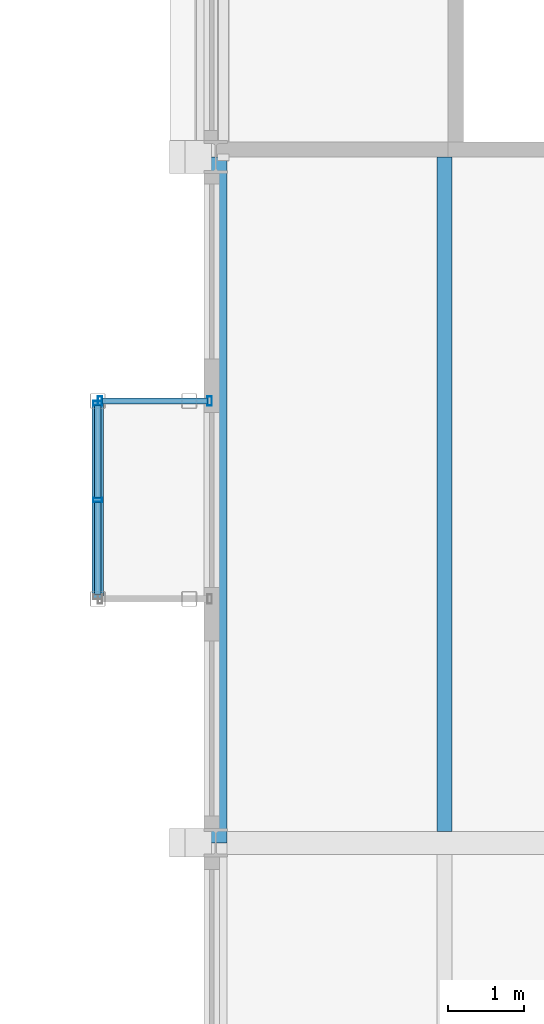
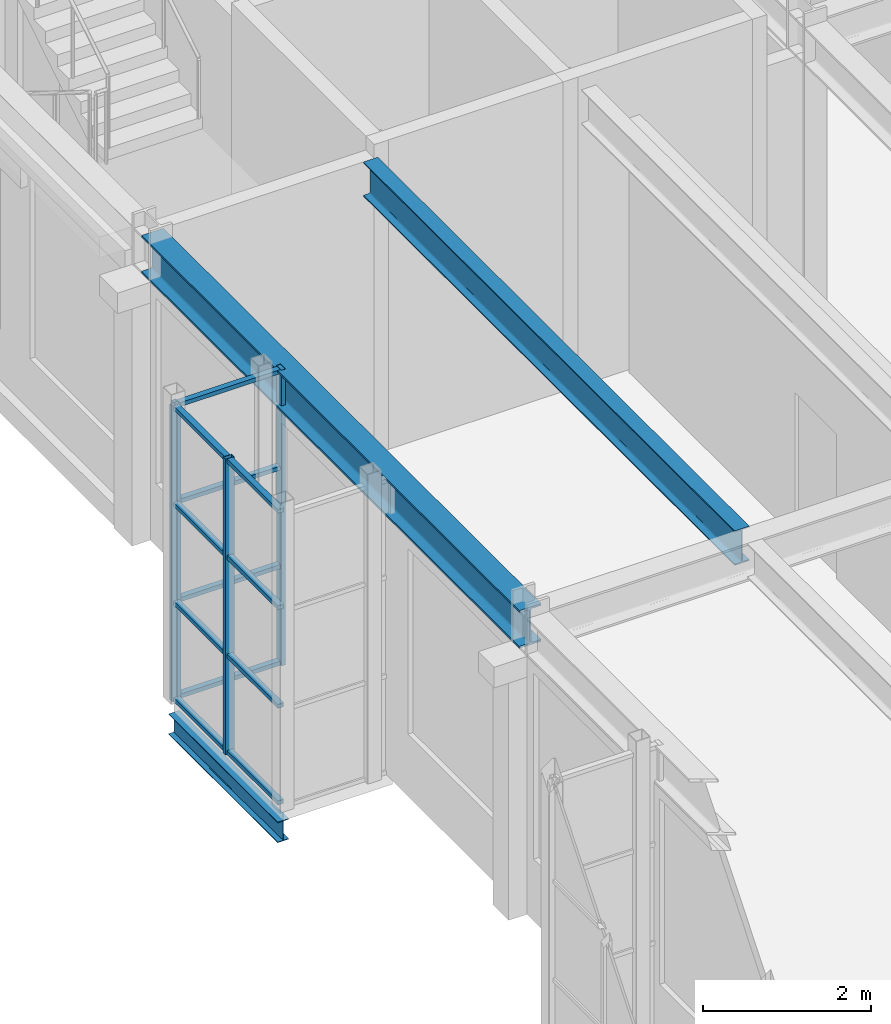
# One storey, part 16 of 149: 16 members, 3 beams, 2 elements without a shape of their own.
"""IFC4 building model written with IfcOpenShell, lengths in metres."""

import ifcopenshell
import ifcopenshell.guid

model = None  # the IFC model being written
_history = None  # IfcOwnerHistory: only IFC2X3 demands one
_inside = {}  # id of a spatial element -> (the spatial element, [elements in it])
_under = {}  # id of a project, library or spatial element -> (it, [spatial elements below it])
_declared = {}  # id of a project -> (the project, [libraries it declares])
_typed = {}  # id of a type object -> (the type object, [elements of that type])
_made_of = {}  # id of a material, layer set ... -> (it, [elements and type objects made of it])


def new_model(schema):
    """Start an empty IFC model of exactly this schema.

    Asked for "IFC4X3", IfcOpenShell would pick the latest addendum, in which some entities
    have other attributes; the version numbers below select the first issue.
    IFC2X3 requires an IfcOwnerHistory on every rooted entity: one is made here for all.
    """
    global model, _history
    if schema == "IFC4X3":
        model = ifcopenshell.file(schema_version=(4, 3, 0, 0))
    else:
        model = ifcopenshell.file(schema=schema)
    _inside.clear()
    _under.clear()
    _declared.clear()
    _typed.clear()
    _made_of.clear()
    _history = None
    if model.schema == "IFC2X3":
        org = make("IfcOrganization", Name="unknown")
        user = make(
            "IfcPersonAndOrganization",
            ThePerson=make("IfcPerson", FamilyName="unknown"),
            TheOrganization=org,
        )
        app = make(
            "IfcApplication",
            ApplicationDeveloper=org,
            Version="unknown",
            ApplicationFullName="unknown",
            ApplicationIdentifier="unknown",
        )
        _history = make(
            "IfcOwnerHistory",
            OwningUser=user,
            OwningApplication=app,
            ChangeAction="ADDED",
            CreationDate=0,
        )
    return model


def make(cls, **values):
    """One entity of the class cls with the attributes given. An attribute that is None is left unset."""
    return model.create_entity(
        cls, **{name: value for name, value in values.items() if value is not None}
    )


def rooted(cls, **values):
    """An entity with a GlobalId (a new one), such as an element, a storey or a relation."""
    return make(cls, GlobalId=ifcopenshell.guid.new(), OwnerHistory=_history, **values)


def si_unit(unit_type, name, prefix=None):
    """IfcSIUnit, for example si_unit("LENGTHUNIT", "METRE", prefix="MILLI")."""
    return make("IfcSIUnit", UnitType=unit_type, Prefix=prefix, Name=name)


def assignment(units):
    """IfcUnitAssignment: the units of a project."""
    return None if units is None else make("IfcUnitAssignment", Units=units)


def point(xyz):
    """IfcCartesianPoint."""
    return None if xyz is None else make("IfcCartesianPoint", Coordinates=xyz)


def direction(xyz):
    """IfcDirection."""
    return None if xyz is None else make("IfcDirection", DirectionRatios=xyz)


def frame(location, z_axis=None, x_axis=None):
    """IfcAxis2Placement3D, a coordinate frame: its origin and axes. An axis left out is left unset."""
    return make(
        "IfcAxis2Placement3D",
        Location=point(location),
        Axis=direction(z_axis),
        RefDirection=direction(x_axis),
    )


def frame_2d(location, x_axis=None):
    """IfcAxis2Placement2D, a coordinate frame in the plane: its origin and x axis."""
    return make(
        "IfcAxis2Placement2D", Location=point(location), RefDirection=direction(x_axis)
    )


def origin():
    """The frame at (0, 0, 0) with its axes left unset."""
    return frame((0.0, 0.0, 0.0))


def origin_2d():
    """The frame at (0, 0) in the plane with its x axis left unset."""
    return frame_2d((0.0, 0.0))


def place(relative_to, where):
    """IfcLocalPlacement: puts the frame where relative to a parent placement (None: the world)."""
    return make(
        "IfcLocalPlacement", PlacementRelTo=relative_to, RelativePlacement=where
    )


def context(
    kind, dimensions, precision=None, world=None, true_north=None, identifier=None
):
    """IfcGeometricRepresentationContext, for example the 3D "Model" context."""
    return make(
        "IfcGeometricRepresentationContext",
        ContextIdentifier=identifier,
        ContextType=kind,
        CoordinateSpaceDimension=dimensions,
        Precision=precision,
        WorldCoordinateSystem=world,
        TrueNorth=true_north,
    )


def subcontext(parent, identifier, kind, view, scale=None):
    """IfcGeometricRepresentationSubContext, for example "Body" below "Model"."""
    return make(
        "IfcGeometricRepresentationSubContext",
        ContextIdentifier=identifier,
        ContextType=kind,
        ParentContext=parent,
        TargetScale=scale,
        TargetView=view,
    )


def project(units=None, contexts=None):
    """IfcProject with its units and contexts."""
    return rooted(
        "IfcProject",
        Name="project",
        RepresentationContexts=contexts,
        UnitsInContext=assignment(units),
    )


def spatial(cls, under=None, at=None, **own):
    """A site, building, storey or space (cls), placed at a placement, below another one or the project."""
    s = rooted(cls, ObjectPlacement=at, **own)
    if under is not None:
        _under.setdefault(under.id(), (under, []))[1].append(s)
    return s


def profile(cls, at=None, kind="AREA", **sizes):
    """A parametric profile (cls). Its sizes go by their IFC names, for example OverallWidth=200.0."""
    return make(cls, ProfileType=kind, Position=at, **sizes)


def hollow_rectangle(**sizes):
    """IfcRectangleHollowProfileDef."""
    return profile("IfcRectangleHollowProfileDef", **sizes)


def i_section(**sizes):
    """IfcIShapeProfileDef."""
    return profile("IfcIShapeProfileDef", **sizes)


def extrude(swept, where, along, depth):
    """IfcExtrudedAreaSolid: the profile swept, set in the frame where, extruded along a direction by depth."""
    return make(
        "IfcExtrudedAreaSolid",
        SweptArea=swept,
        Position=where,
        ExtrudedDirection=direction(along),
        Depth=depth,
    )


def shape(context_of_items, identifier, shape_type, items):
    """IfcShapeRepresentation: the items that make up one representation, for example the "Body"."""
    return make(
        "IfcShapeRepresentation",
        ContextOfItems=context_of_items,
        RepresentationIdentifier=identifier,
        RepresentationType=shape_type,
        Items=items,
    )


def material(Name=None, Category=None):
    """IfcMaterial."""
    return make("IfcMaterial", Name=Name, Category=Category)


def material_profile(
    of_material, cross_section, Name=None, Category=None, Priority=None
):
    """IfcMaterialProfile: a cross section and its material."""
    return make(
        "IfcMaterialProfile",
        Name=Name,
        Material=of_material,
        Profile=cross_section,
        Priority=Priority,
        Category=Category,
    )


def profile_set(profiles, Name=None, composite=None):
    """IfcMaterialProfileSet."""
    return make(
        "IfcMaterialProfileSet",
        Name=Name,
        MaterialProfiles=profiles,
        CompositeProfile=composite,
    )


def made_of(thing, what):
    """Note that an element or type object is made of a material, layer set ...; save() writes the relation."""
    if what is not None:
        _made_of.setdefault(what.id(), (what, []))[1].append(thing)
    return thing


def type_object(cls, material=None, **own):
    """A type object (cls), such as IfcWallType, which elements share."""
    return made_of(rooted(cls, **own), material)


def element(
    cls,
    number,
    at=None,
    inside=None,
    cuts=None,
    type_object=None,
    material=None,
    context=None,
    identifier="Body",
    shape_type=None,
    held_by="IfcProductDefinitionShape",
    body=None,
    shapes=None,
    **own,
):
    """One element of the class cls, such as IfcWall. Its Tag is "e" and its number.

    at: its placement. inside: the storey or other place that contains it. cuts: it is an
    opening in that element (IfcRelVoidsElement). A single representation is given by context,
    identifier, shape_type and body (its items); several are given by shapes. held_by: the class
    of the entity that holds the representations. save() writes the other relations.
    """
    e = rooted(cls, Tag="e%d" % number, ObjectPlacement=at, **own)
    if body is not None:
        shapes = [shape(context, identifier, shape_type, body)]
    if shapes is not None:
        e.Representation = make(held_by, Representations=shapes)
    if inside is not None:
        _inside.setdefault(inside.id(), (inside, []))[1].append(e)
    if cuts is not None:
        rooted(
            "IfcRelVoidsElement", RelatingBuildingElement=cuts, RelatedOpeningElement=e
        )
    if type_object is not None:
        _typed.setdefault(type_object.id(), (type_object, []))[1].append(e)
    return made_of(e, material)


def aggregate(whole, parts):
    """IfcRelAggregates: a whole, such as a stair, and the parts it consists of."""
    return rooted("IfcRelAggregates", RelatingObject=whole, RelatedObjects=parts)


def save(model, path):
    """Write the relations noted so far, then the file.

    IfcRelAggregates (storeys below a building ...), IfcRelContainedInSpatialStructure (elements
    in a storey), IfcRelDefinesByType, IfcRelAssociatesMaterial and IfcRelDeclares: one each for
    every whole, place, type object, material and project.
    """
    for whole, parts in _under.values():
        aggregate(whole, parts)
    for where, things in _inside.values():
        rooted(
            "IfcRelContainedInSpatialStructure",
            RelatedElements=things,
            RelatingStructure=where,
        )
    for kind, things in _typed.values():
        rooted("IfcRelDefinesByType", RelatedObjects=things, RelatingType=kind)
    for what, things in _made_of.values():
        rooted("IfcRelAssociatesMaterial", RelatedObjects=things, RelatingMaterial=what)
    for by, libraries in _declared.values():
        rooted("IfcRelDeclares", RelatingContext=by, RelatedDefinitions=libraries)
    model.write(path)


model = new_model("IFC4")

# Units and contexts
model_context = context("Model", 3, precision=1e-05, world=origin(), true_north=direction((0.0, 1.0)))
body_context = subcontext(model_context, "Body", "Model", "MODEL_VIEW")
ifc_project = project(units=[si_unit("LENGTHUNIT", "METRE"), si_unit("AREAUNIT", "SQUARE_METRE"), si_unit("VOLUMEUNIT", "CUBIC_METRE"), si_unit("PLANEANGLEUNIT", "RADIAN"), si_unit("MASSUNIT", "GRAM", prefix="KILO")], contexts=[model_context])

# Site, building, storey
site_placement = place(None, origin())
site = spatial("IfcSite", under=ifc_project, at=site_placement, CompositionType="ELEMENT")
building_placement = place(site_placement, origin())
building = spatial("IfcBuilding", under=site, at=building_placement, Name="Kallimachos Central Library", CompositionType="ELEMENT")
storey_placement = place(building_placement, frame((0.0, 0.0, 9.89990234375)))
storey = spatial("IfcBuildingStorey", under=building, at=storey_placement, Name="L02", CompositionType="ELEMENT", Elevation=9.89990234375)

# Beams
ifc_material_1 = material(Name="Steel S355J2", Category="steel")
ifc_material_profile_1 = material_profile(ifc_material_1, i_section(OverallWidth=0.300048828125, OverallDepth=0.550048828125, WebThickness=0.014892578125, FlangeThickness=0.029052734375, FilletRadius=0.027099609375, at=origin_2d()), Name="HEB 550")
ifc_profile_set_1 = profile_set([ifc_material_profile_1], Name="Steel S355J2")
beam_type_1 = type_object("IfcBeamType", Name="HEB 550 beam", PredefinedType="BEAM", material=ifc_profile_set_1)
beam_1_placement = place(storey_placement, frame((65.5, 66.0, 4.025146484375), z_axis=(0.0, 1.0, 0.0), x_axis=(-1.0, 0.0, 0.0)))
element("IfcBeam", 1, at=beam_1_placement, inside=storey, type_object=beam_type_1, Name="V4-BEM-L02-024", PredefinedType="BEAM", context=body_context, shape_type="SweptSolid", body=[
    extrude(i_section(OverallWidth=0.300048828125, OverallDepth=0.550048828125, WebThickness=0.014892578125, FlangeThickness=0.029052734375, FilletRadius=0.027099609375, at=origin_2d()), origin(), (0.0, 0.0, 1.0), 9.0),
])
ifc_material_2 = material(Name="Steel S355J2", Category="steel")
ifc_material_profile_2 = material_profile(ifc_material_2, i_section(OverallWidth=0.14990234375, OverallDepth=0.300048828125, WebThickness=0.007080078125, FlangeThickness=0.0107421875, FilletRadius=0.014892578125, at=origin_2d()), Name="IPE 300")
ifc_profile_set_2 = profile_set([ifc_material_profile_2], Name="Steel S355J2")
beam_type_2 = type_object("IfcBeamType", Name="IPE 300 beam", PredefinedType="BEAM", material=ifc_profile_set_2)
beam_2_placement = place(storey_placement, frame((63.949951171875, 69.199951171875, -0.349853515625), z_axis=(0.0, 1.0, 0.0), x_axis=(-1.0, 0.0, 0.0)))
element("IfcBeam", 2, at=beam_2_placement, inside=storey, type_object=beam_type_2, Name="Tribune bay W2 edge beam L02", PredefinedType="BEAM", context=body_context, shape_type="SweptSolid", body=[
    extrude(i_section(OverallWidth=0.14990234375, OverallDepth=0.300048828125, WebThickness=0.007080078125, FlangeThickness=0.0107421875, FilletRadius=0.014892578125, at=origin_2d()), origin(), (0.0, 0.0, 1.0), 2.60009765625),
])
ifc_material_3 = material(Name="Steel S355J2", Category="steel")
ifc_material_profile_3 = material_profile(ifc_material_3, i_section(OverallWidth=0.199951171875, OverallDepth=0.5, WebThickness=0.01025390625, FlangeThickness=0.01611328125, FilletRadius=0.02099609375, at=origin_2d()), Name="IPE 500")
ifc_profile_set_3 = profile_set([ifc_material_profile_3], Name="Steel S355J2")
beam_type_3 = type_object("IfcBeamType", Name="IPE 500 beam", PredefinedType="BEAM", material=ifc_profile_set_3)
beam_3_placement = place(storey_placement, frame((68.5, 66.14990234375, 4.050048828125), z_axis=(0.0, 1.0, 0.0), x_axis=(-1.0, 0.0, 0.0)))
element("IfcBeam", 3, at=beam_3_placement, inside=storey, type_object=beam_type_3, Name="V4-BEM-L02-029", PredefinedType="BEAM", context=body_context, shape_type="SweptSolid", body=[
    extrude(i_section(OverallWidth=0.199951171875, OverallDepth=0.5, WebThickness=0.01025390625, FlangeThickness=0.01611328125, FilletRadius=0.02099609375, at=origin_2d()), origin(), (0.0, 0.0, 1.0), 8.85009765625),
])

# Curtain wall, members
ifc_material_4 = material(Name="Aluminium and laminated glass", Category="aluminium")
curtain_wall_type = type_object("IfcCurtainWallType", Name="Tribune bay glazed screen", PredefinedType="NOTDEFINED", material=ifc_material_4)
curtain_wall_1_placement = place(storey_placement, origin())
curtain_wall_1 = element("IfcCurtainWall", 4, at=curtain_wall_1_placement, inside=storey, type_object=curtain_wall_type, Name="Tribune bay W2 L02 front", PredefinedType="NOTDEFINED")
ifc_material_5 = material(Name="Anodised aluminium", Category="aluminium")
ifc_material_profile_4 = material_profile(ifc_material_5, hollow_rectangle(XDim=0.06005859375, YDim=0.1201171875, WallThickness=0.00390625, at=origin_2d()), Name="ALU MULLION 60x120")
ifc_profile_set_4 = profile_set([ifc_material_profile_4], Name="Anodised aluminium")
member_type_1 = type_object("IfcMemberType", Name="Tribune bay mullion", PredefinedType="MULLION", material=ifc_profile_set_4)
member_1_placement = place(storey_placement, frame((63.949951171875, 70.5, 0.0), z_axis=(0.0, 0.0, 1.0), x_axis=(0.0, 1.0, 0.0)))
member_1 = element("IfcMember", 5, at=member_1_placement, type_object=member_type_1, Name="CW mullion 2", PredefinedType="MULLION", context=body_context, shape_type="SweptSolid", body=[
    extrude(hollow_rectangle(XDim=0.06005859375, YDim=0.1201171875, WallThickness=0.00390625, at=origin_2d()), origin(), (0.0, 0.0, 1.0), 4.300048828125),
])
member_2_placement = place(storey_placement, frame((63.949951171875, 71.77001953125, 0.0), z_axis=(0.0, 0.0, 1.0), x_axis=(0.0, 1.0, 0.0)))
member_2 = element("IfcMember", 6, at=member_2_placement, type_object=member_type_1, Name="CW mullion 3", PredefinedType="MULLION", context=body_context, shape_type="SweptSolid", body=[
    extrude(hollow_rectangle(XDim=0.06005859375, YDim=0.1201171875, WallThickness=0.00390625, at=origin_2d()), origin(), (0.0, 0.0, 1.0), 4.300048828125),
])

curtain_wall_2_placement = place(storey_placement, origin())
curtain_wall_2 = element("IfcCurtainWall", 7, at=curtain_wall_2_placement, inside=storey, type_object=curtain_wall_type, Name="Tribune bay W2 L02 return 2", PredefinedType="NOTDEFINED")
member_3_placement = place(storey_placement, frame((65.419921875, 71.800048828125, 0.0), z_axis=(0.0, 0.0, 1.0), x_axis=(-1.0, 0.0, 0.0)))
member_3 = element("IfcMember", 8, at=member_3_placement, type_object=member_type_1, Name="CW mullion 1", PredefinedType="MULLION", context=body_context, shape_type="SweptSolid", body=[
    extrude(hollow_rectangle(XDim=0.06005859375, YDim=0.1201171875, WallThickness=0.00390625, at=origin_2d()), origin(), (0.0, 0.0, 1.0), 4.300048828125),
])
member_4_placement = place(storey_placement, frame((63.97998046875, 71.800048828125, 0.0), z_axis=(0.0, 0.0, 1.0), x_axis=(-1.0, 0.0, 0.0)))
member_4 = element("IfcMember", 9, at=member_4_placement, type_object=member_type_1, Name="CW mullion 2", PredefinedType="MULLION", context=body_context, shape_type="SweptSolid", body=[
    extrude(hollow_rectangle(XDim=0.06005859375, YDim=0.1201171875, WallThickness=0.00390625, at=origin_2d()), origin(), (0.0, 0.0, 1.0), 4.300048828125),
])

# Member
ifc_material_6 = material(Name="Anodised aluminium", Category="aluminium")
ifc_material_profile_5 = material_profile(ifc_material_6, hollow_rectangle(XDim=0.06005859375, YDim=0.080078125, WallThickness=0.00390625, at=origin_2d()), Name="ALU TRANSOM 60x80")
ifc_profile_set_5 = profile_set([ifc_material_profile_5], Name="Anodised aluminium")
member_type_2 = type_object("IfcMemberType", Name="Tribune bay transom", PredefinedType="USERDEFINED", material=ifc_profile_set_5)
member_5_placement = place(storey_placement, frame((63.949951171875, 69.260009765625, 0.030029296875), z_axis=(0.0, 1.0, 0.0), x_axis=(0.0, 0.0, 1.0)))
member_5 = element("IfcMember", 10, at=member_5_placement, type_object=member_type_2, Name="CW transom 1.1", ObjectType="TRANSOM", PredefinedType="USERDEFINED", context=body_context, shape_type="SweptSolid", body=[
    extrude(hollow_rectangle(XDim=0.06005859375, YDim=0.080078125, WallThickness=0.00390625, at=origin_2d()), origin(), (0.0, 0.0, 1.0), 1.2099609375),
])

member_6_placement = place(storey_placement, frame((63.949951171875, 69.260009765625, 1.433349609375), z_axis=(0.0, 1.0, 0.0), x_axis=(0.0, 0.0, 1.0)))
member_6 = element("IfcMember", 11, at=member_6_placement, type_object=member_type_2, Name="CW transom 1.2", ObjectType="TRANSOM", PredefinedType="USERDEFINED", context=body_context, shape_type="SweptSolid", body=[
    extrude(hollow_rectangle(XDim=0.06005859375, YDim=0.080078125, WallThickness=0.00390625, at=origin_2d()), origin(), (0.0, 0.0, 1.0), 1.2099609375),
])

member_7_placement = place(storey_placement, frame((63.949951171875, 69.260009765625, 2.86669921875), z_axis=(0.0, 1.0, 0.0), x_axis=(0.0, 0.0, 1.0)))
member_7 = element("IfcMember", 12, at=member_7_placement, type_object=member_type_2, Name="CW transom 1.3", ObjectType="TRANSOM", PredefinedType="USERDEFINED", context=body_context, shape_type="SweptSolid", body=[
    extrude(hollow_rectangle(XDim=0.06005859375, YDim=0.080078125, WallThickness=0.00390625, at=origin_2d()), origin(), (0.0, 0.0, 1.0), 1.2099609375),
])

member_8_placement = place(storey_placement, frame((63.949951171875, 69.260009765625, 4.27001953125), z_axis=(0.0, 1.0, 0.0), x_axis=(0.0, 0.0, 1.0)))
member_8 = element("IfcMember", 13, at=member_8_placement, type_object=member_type_2, Name="CW transom 1.4", ObjectType="TRANSOM", PredefinedType="USERDEFINED", context=body_context, shape_type="SweptSolid", body=[
    extrude(hollow_rectangle(XDim=0.06005859375, YDim=0.080078125, WallThickness=0.00390625, at=origin_2d()), origin(), (0.0, 0.0, 1.0), 1.2099609375),
])

member_9_placement = place(storey_placement, frame((63.949951171875, 70.530029296875, 0.030029296875), z_axis=(0.0, 1.0, 0.0), x_axis=(0.0, 0.0, 1.0)))
member_9 = element("IfcMember", 14, at=member_9_placement, type_object=member_type_2, Name="CW transom 2.1", ObjectType="TRANSOM", PredefinedType="USERDEFINED", context=body_context, shape_type="SweptSolid", body=[
    extrude(hollow_rectangle(XDim=0.06005859375, YDim=0.080078125, WallThickness=0.00390625, at=origin_2d()), origin(), (0.0, 0.0, 1.0), 1.2099609375),
])

member_10_placement = place(storey_placement, frame((63.949951171875, 70.530029296875, 1.433349609375), z_axis=(0.0, 1.0, 0.0), x_axis=(0.0, 0.0, 1.0)))
member_10 = element("IfcMember", 15, at=member_10_placement, type_object=member_type_2, Name="CW transom 2.2", ObjectType="TRANSOM", PredefinedType="USERDEFINED", context=body_context, shape_type="SweptSolid", body=[
    extrude(hollow_rectangle(XDim=0.06005859375, YDim=0.080078125, WallThickness=0.00390625, at=origin_2d()), origin(), (0.0, 0.0, 1.0), 1.2099609375),
])

member_11_placement = place(storey_placement, frame((63.949951171875, 70.530029296875, 2.86669921875), z_axis=(0.0, 1.0, 0.0), x_axis=(0.0, 0.0, 1.0)))
member_11 = element("IfcMember", 16, at=member_11_placement, type_object=member_type_2, Name="CW transom 2.3", ObjectType="TRANSOM", PredefinedType="USERDEFINED", context=body_context, shape_type="SweptSolid", body=[
    extrude(hollow_rectangle(XDim=0.06005859375, YDim=0.080078125, WallThickness=0.00390625, at=origin_2d()), origin(), (0.0, 0.0, 1.0), 1.2099609375),
])

member_12_placement = place(storey_placement, frame((63.949951171875, 70.530029296875, 4.27001953125), z_axis=(0.0, 1.0, 0.0), x_axis=(0.0, 0.0, 1.0)))
member_12 = element("IfcMember", 17, at=member_12_placement, type_object=member_type_2, Name="CW transom 2.4", ObjectType="TRANSOM", PredefinedType="USERDEFINED", context=body_context, shape_type="SweptSolid", body=[
    extrude(hollow_rectangle(XDim=0.06005859375, YDim=0.080078125, WallThickness=0.00390625, at=origin_2d()), origin(), (0.0, 0.0, 1.0), 1.2099609375),
])

aggregate(curtain_wall_1, [member_1, member_2, member_5, member_6, member_7, member_8, member_9, member_10, member_11, member_12])

member_13_placement = place(storey_placement, frame((65.389892578125, 71.800048828125, 0.030029296875), z_axis=(-1.0, 0.0, 0.0), x_axis=(0.0, 0.0, 1.0)))
member_13 = element("IfcMember", 18, at=member_13_placement, type_object=member_type_2, Name="CW transom 1.1", ObjectType="TRANSOM", PredefinedType="USERDEFINED", context=body_context, shape_type="SweptSolid", body=[
    extrude(hollow_rectangle(XDim=0.06005859375, YDim=0.080078125, WallThickness=0.00390625, at=origin_2d()), origin(), (0.0, 0.0, 1.0), 1.3798828125),
])

member_14_placement = place(storey_placement, frame((65.389892578125, 71.800048828125, 1.433349609375), z_axis=(-1.0, 0.0, 0.0), x_axis=(0.0, 0.0, 1.0)))
member_14 = element("IfcMember", 19, at=member_14_placement, type_object=member_type_2, Name="CW transom 1.2", ObjectType="TRANSOM", PredefinedType="USERDEFINED", context=body_context, shape_type="SweptSolid", body=[
    extrude(hollow_rectangle(XDim=0.06005859375, YDim=0.080078125, WallThickness=0.00390625, at=origin_2d()), origin(), (0.0, 0.0, 1.0), 1.3798828125),
])

member_15_placement = place(storey_placement, frame((65.389892578125, 71.800048828125, 2.86669921875), z_axis=(-1.0, 0.0, 0.0), x_axis=(0.0, 0.0, 1.0)))
member_15 = element("IfcMember", 20, at=member_15_placement, type_object=member_type_2, Name="CW transom 1.3", ObjectType="TRANSOM", PredefinedType="USERDEFINED", context=body_context, shape_type="SweptSolid", body=[
    extrude(hollow_rectangle(XDim=0.06005859375, YDim=0.080078125, WallThickness=0.00390625, at=origin_2d()), origin(), (0.0, 0.0, 1.0), 1.3798828125),
])

member_16_placement = place(storey_placement, frame((65.389892578125, 71.800048828125, 4.27001953125), z_axis=(-1.0, 0.0, 0.0), x_axis=(0.0, 0.0, 1.0)))
member_16 = element("IfcMember", 21, at=member_16_placement, type_object=member_type_2, Name="CW transom 1.4", ObjectType="TRANSOM", PredefinedType="USERDEFINED", context=body_context, shape_type="SweptSolid", body=[
    extrude(hollow_rectangle(XDim=0.06005859375, YDim=0.080078125, WallThickness=0.00390625, at=origin_2d()), origin(), (0.0, 0.0, 1.0), 1.3798828125),
])

aggregate(curtain_wall_2, [member_3, member_4, member_13, member_14, member_15, member_16])

save(model, "model.ifc")
